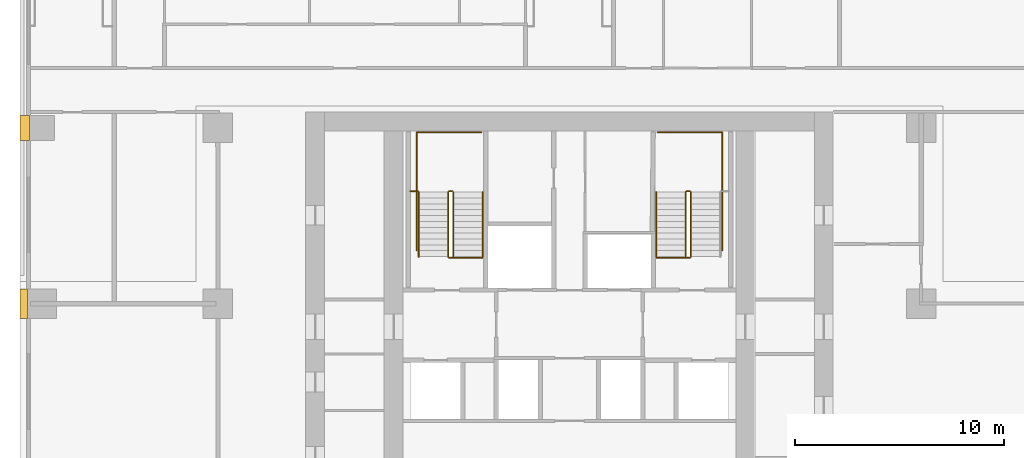
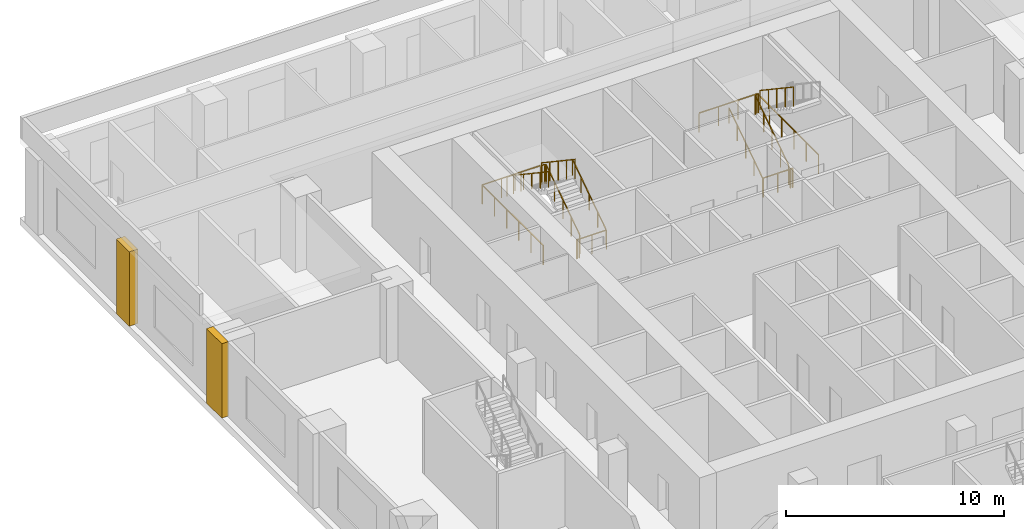
# One storey, part 14 of 16: 14 railings, 2 coverings.
"""IFC4 building model written with IfcOpenShell, lengths in metres."""

from ifc_helpers import new_model, si_unit, direction, frame, origin, origin_2d, place, context, subcontext, project, spatial, polyline, rectangle, outline, extrude, material, type_object, element, save


model = new_model("IFC4")

# Units and contexts
model_context = context("Model", 3, precision=1e-05, world=origin(), true_north=direction((0.0, 1.0)))
body_context = subcontext(model_context, "Body", "Model", "MODEL_VIEW")
ifc_project = project(units=[si_unit("LENGTHUNIT", "METRE"), si_unit("AREAUNIT", "SQUARE_METRE"), si_unit("VOLUMEUNIT", "CUBIC_METRE"), si_unit("PLANEANGLEUNIT", "RADIAN"), si_unit("MASSUNIT", "GRAM", prefix="KILO")], contexts=[model_context])

# Site, building, storey
site_placement = place(None, origin())
site = spatial("IfcSite", under=ifc_project, at=site_placement, CompositionType="ELEMENT")
building_placement = place(site_placement, origin())
building = spatial("IfcBuilding", under=site, at=building_placement, Name="Vermilion Ogive Tower", CompositionType="ELEMENT")
storey_placement = place(building_placement, frame((0.0, 0.0, 30.0)))
storey = spatial("IfcBuildingStorey", under=building, at=storey_placement, Name="L05", CompositionType="ELEMENT", Elevation=30.0)

# Railings
ifc_material_1 = material(Name="Steel S355 painted", Category="steel")
railing_type_1 = type_object("IfcRailingType", Name="Stair guard 1100", PredefinedType="GUARDRAIL", material=ifc_material_1)
railing_1_placement = place(storey_placement, frame((-5.550048828125, 14.85009765625, 0.1875)))
element("IfcRailing", 1, at=railing_1_placement, inside=storey, type_object=railing_type_1, Name="L05 ST1 stair guard 1", PredefinedType="GUARDRAIL", context=body_context, shape_type="SweptSolid", body=[
    extrude(rectangle(XDim=0.048095703125, YDim=0.048095703125, at=origin_2d()), frame((0.0, 0.0, 1.076171875), z_axis=(0.0, 0.830893310487, 0.556431762742), x_axis=(-1.0, 0.0, 0.0)), (0.0, 0.0, 1.0), 3.70654296875),
    extrude(rectangle(XDim=0.048095703125, YDim=0.048095703125, at=origin_2d()), frame((0.0, 3.079833984375, 3.138671875), z_axis=(-0.707106781187, 0.707106781187, 0.0), x_axis=(-0.707106781187, -0.707106781187, 0.0)), (0.0, 0.0, 1.0), 0.07080078125),
    extrude(rectangle(XDim=0.048095703125, YDim=0.048095703125, at=origin_2d()), frame((-0.050048828125, 3.1298828125, 3.138671875), z_axis=(-1.0, 0.0, 0.0), x_axis=(0.0, -1.0, 0.0)), (0.0, 0.0, 1.0), 0.14990234375),
    extrude(rectangle(XDim=0.0419921875, YDim=0.0419921875, at=origin_2d()), origin(), (0.0, 0.0, 1.0), 1.052001953125),
    extrude(rectangle(XDim=0.0419921875, YDim=0.0419921875, at=origin_2d()), frame((0.0, 0.77001953125, 0.515625)), (0.0, 0.0, 1.0), 1.052001953125),
    extrude(rectangle(XDim=0.0419921875, YDim=0.0419921875, at=origin_2d()), frame((0.0, 1.5400390625, 1.03125)), (0.0, 0.0, 1.0), 1.052001953125),
    extrude(rectangle(XDim=0.0419921875, YDim=0.0419921875, at=origin_2d()), frame((0.0, 2.309814453125, 1.546875)), (0.0, 0.0, 1.0), 1.052001953125),
    extrude(rectangle(XDim=0.0419921875, YDim=0.0419921875, at=origin_2d()), frame((0.0, 3.079833984375, 2.0625)), (0.0, 0.0, 1.0), 1.052001953125),
    extrude(rectangle(XDim=0.0419921875, YDim=0.0419921875, at=origin_2d()), frame((-0.050048828125, 3.1298828125, 2.0625)), (0.0, 0.0, 1.0), 1.052001953125),
    extrude(rectangle(XDim=0.0419921875, YDim=0.0419921875, at=origin_2d()), frame((-0.199951171875, 3.1298828125, 2.0625)), (0.0, 0.0, 1.0), 1.052001953125),
])
railing_2_placement = place(storey_placement, frame((-5.800048828125, 17.929931640625, 2.4375)))
element("IfcRailing", 2, at=railing_2_placement, inside=storey, type_object=railing_type_1, Name="L05 ST1 stair guard 3", PredefinedType="GUARDRAIL", context=body_context, shape_type="SweptSolid", body=[
    extrude(rectangle(XDim=0.048095703125, YDim=0.048095703125, at=origin_2d()), frame((0.0, 0.0, 1.076171875), z_axis=(0.0, -0.830893310487, 0.556431762742), x_axis=(1.0, 0.0, 0.0)), (0.0, 0.0, 1.0), 3.70654296875),
    extrude(rectangle(XDim=0.0419921875, YDim=0.0419921875, at=origin_2d()), origin(), (0.0, 0.0, 1.0), 1.052001953125),
    extrude(rectangle(XDim=0.0419921875, YDim=0.0419921875, at=origin_2d()), frame((0.0, -0.77001953125, 0.515625)), (0.0, 0.0, 1.0), 1.052001953125),
    extrude(rectangle(XDim=0.0419921875, YDim=0.0419921875, at=origin_2d()), frame((0.0, -1.5400390625, 1.03125)), (0.0, 0.0, 1.0), 1.052001953125),
    extrude(rectangle(XDim=0.0419921875, YDim=0.0419921875, at=origin_2d()), frame((0.0, -2.309814453125, 1.546875)), (0.0, 0.0, 1.0), 1.052001953125),
    extrude(rectangle(XDim=0.0419921875, YDim=0.0419921875, at=origin_2d()), frame((0.0, -3.079833984375, 2.0625)), (0.0, 0.0, 1.0), 1.052001953125),
])
railing_3_placement = place(storey_placement, frame((-5.60009765625, 14.800048828125, 0.0)))
element("IfcRailing", 3, at=railing_3_placement, inside=storey, type_object=railing_type_1, Name="L05 ST1 stair guard 4", PredefinedType="GUARDRAIL", context=body_context, shape_type="SweptSolid", body=[
    extrude(rectangle(XDim=0.048095703125, YDim=0.048095703125, at=origin_2d()), frame((0.0, 0.0, 1.076171875), z_axis=(-1.0, 0.0, 0.0), x_axis=(0.0, -1.0, 0.0)), (0.0, 0.0, 1.0), 0.14990234375),
    extrude(rectangle(XDim=0.0419921875, YDim=0.0419921875, at=origin_2d()), origin(), (0.0, 0.0, 1.0), 1.052001953125),
    extrude(rectangle(XDim=0.0419921875, YDim=0.0419921875, at=origin_2d()), frame((-0.14990234375, 0.0, 0.0)), (0.0, 0.0, 1.0), 1.052001953125),
])
railing_4_placement = place(storey_placement, frame((5.550048828125, 14.85009765625, 0.1875)))
element("IfcRailing", 4, at=railing_4_placement, inside=storey, type_object=railing_type_1, Name="L05 ST2 stair guard 1", PredefinedType="GUARDRAIL", context=body_context, shape_type="SweptSolid", body=[
    extrude(rectangle(XDim=0.048095703125, YDim=0.048095703125, at=origin_2d()), frame((0.0, 0.0, 1.076171875), z_axis=(0.0, 0.830893310487, 0.556431762742), x_axis=(-1.0, 0.0, 0.0)), (0.0, 0.0, 1.0), 3.70654296875),
    extrude(rectangle(XDim=0.048095703125, YDim=0.048095703125, at=origin_2d()), frame((0.0, 3.079833984375, 3.138671875), z_axis=(0.707106781187, 0.707106781187, 0.0), x_axis=(-0.707106781187, 0.707106781187, 0.0)), (0.0, 0.0, 1.0), 0.07080078125),
    extrude(rectangle(XDim=0.048095703125, YDim=0.048095703125, at=origin_2d()), frame((0.050048828125, 3.1298828125, 3.138671875), z_axis=(1.0, 0.0, 0.0), x_axis=(0.0, 1.0, 0.0)), (0.0, 0.0, 1.0), 0.14990234375),
    extrude(rectangle(XDim=0.0419921875, YDim=0.0419921875, at=origin_2d()), origin(), (0.0, 0.0, 1.0), 1.052001953125),
    extrude(rectangle(XDim=0.0419921875, YDim=0.0419921875, at=origin_2d()), frame((0.0, 0.77001953125, 0.515625)), (0.0, 0.0, 1.0), 1.052001953125),
    extrude(rectangle(XDim=0.0419921875, YDim=0.0419921875, at=origin_2d()), frame((0.0, 1.5400390625, 1.03125)), (0.0, 0.0, 1.0), 1.052001953125),
    extrude(rectangle(XDim=0.0419921875, YDim=0.0419921875, at=origin_2d()), frame((0.0, 2.309814453125, 1.546875)), (0.0, 0.0, 1.0), 1.052001953125),
    extrude(rectangle(XDim=0.0419921875, YDim=0.0419921875, at=origin_2d()), frame((0.0, 3.079833984375, 2.0625)), (0.0, 0.0, 1.0), 1.052001953125),
    extrude(rectangle(XDim=0.0419921875, YDim=0.0419921875, at=origin_2d()), frame((0.050048828125, 3.1298828125, 2.0625)), (0.0, 0.0, 1.0), 1.052001953125),
    extrude(rectangle(XDim=0.0419921875, YDim=0.0419921875, at=origin_2d()), frame((0.199951171875, 3.1298828125, 2.0625)), (0.0, 0.0, 1.0), 1.052001953125),
])
railing_5_placement = place(storey_placement, frame((5.800048828125, 17.929931640625, 2.4375)))
element("IfcRailing", 5, at=railing_5_placement, inside=storey, type_object=railing_type_1, Name="L05 ST2 stair guard 3", PredefinedType="GUARDRAIL", context=body_context, shape_type="SweptSolid", body=[
    extrude(rectangle(XDim=0.048095703125, YDim=0.048095703125, at=origin_2d()), frame((0.0, 0.0, 1.076171875), z_axis=(0.0, -0.830893310487, 0.556431762742), x_axis=(1.0, 0.0, 0.0)), (0.0, 0.0, 1.0), 3.70654296875),
    extrude(rectangle(XDim=0.0419921875, YDim=0.0419921875, at=origin_2d()), origin(), (0.0, 0.0, 1.0), 1.052001953125),
    extrude(rectangle(XDim=0.0419921875, YDim=0.0419921875, at=origin_2d()), frame((0.0, -0.77001953125, 0.515625)), (0.0, 0.0, 1.0), 1.052001953125),
    extrude(rectangle(XDim=0.0419921875, YDim=0.0419921875, at=origin_2d()), frame((0.0, -1.5400390625, 1.03125)), (0.0, 0.0, 1.0), 1.052001953125),
    extrude(rectangle(XDim=0.0419921875, YDim=0.0419921875, at=origin_2d()), frame((0.0, -2.309814453125, 1.546875)), (0.0, 0.0, 1.0), 1.052001953125),
    extrude(rectangle(XDim=0.0419921875, YDim=0.0419921875, at=origin_2d()), frame((0.0, -3.079833984375, 2.0625)), (0.0, 0.0, 1.0), 1.052001953125),
])
railing_6_placement = place(storey_placement, frame((5.60009765625, 14.800048828125, 0.0)))
element("IfcRailing", 6, at=railing_6_placement, inside=storey, type_object=railing_type_1, Name="L05 ST2 stair guard 4", PredefinedType="GUARDRAIL", context=body_context, shape_type="SweptSolid", body=[
    extrude(rectangle(XDim=0.048095703125, YDim=0.048095703125, at=origin_2d()), frame((0.0, 0.0, 1.076171875), z_axis=(1.0, 0.0, 0.0), x_axis=(0.0, 1.0, 0.0)), (0.0, 0.0, 1.0), 0.14990234375),
    extrude(rectangle(XDim=0.0419921875, YDim=0.0419921875, at=origin_2d()), origin(), (0.0, 0.0, 1.0), 1.052001953125),
    extrude(rectangle(XDim=0.0419921875, YDim=0.0419921875, at=origin_2d()), frame((0.14990234375, 0.0, 0.0)), (0.0, 0.0, 1.0), 1.052001953125),
])
railing_7_placement = place(storey_placement, frame((-7.60009765625, 17.97998046875, 2.25)))
element("IfcRailing", 7, at=railing_7_placement, inside=storey, type_object=railing_type_1, Name="L05 landing guard", PredefinedType="GUARDRAIL", context=body_context, shape_type="SweptSolid", body=[
    extrude(rectangle(XDim=0.048095703125, YDim=0.048095703125, at=origin_2d()), frame((0.0, 0.0, 1.076171875), z_axis=(1.0, 0.0, 0.0), x_axis=(0.0, 1.0, 0.0)), (0.0, 0.0, 1.0), 0.35009765625),
    extrude(rectangle(XDim=0.0419921875, YDim=0.0419921875, at=origin_2d()), origin(), (0.0, 0.0, 1.0), 1.052001953125),
    extrude(rectangle(XDim=0.0419921875, YDim=0.0419921875, at=origin_2d()), frame((0.35009765625, 0.0, 0.0)), (0.0, 0.0, 1.0), 1.052001953125),
])
railing_8_placement = place(storey_placement, frame((-5.699951171875, 14.7900390625, 0.0)))
element("IfcRailing", 8, at=railing_8_placement, inside=storey, type_object=railing_type_1, Name="L05 stair opening guard", PredefinedType="GUARDRAIL", context=body_context, shape_type="SweptSolid", body=[
    extrude(rectangle(XDim=0.048095703125, YDim=0.048095703125, at=origin_2d()), frame((0.0, 0.0, 1.076171875), z_axis=(1.0, 0.0, 0.0), x_axis=(0.0, 1.0, 0.0)), (0.0, 0.0, 1.0), 1.5400390625),
    extrude(rectangle(XDim=0.0419921875, YDim=0.0419921875, at=origin_2d()), origin(), (0.0, 0.0, 1.0), 1.052001953125),
    extrude(rectangle(XDim=0.0419921875, YDim=0.0419921875, at=origin_2d()), frame((0.77001953125, 0.0, 0.0)), (0.0, 0.0, 1.0), 1.052001953125),
    extrude(rectangle(XDim=0.0419921875, YDim=0.0419921875, at=origin_2d()), frame((1.5400390625, 0.0, 0.0)), (0.0, 0.0, 1.0), 1.052001953125),
])
railing_9_placement = place(storey_placement, frame((-4.212646484375, 20.77880859375, 0.0)))
element("IfcRailing", 9, at=railing_9_placement, inside=storey, type_object=railing_type_1, Name="L05 stair opening guard", PredefinedType="GUARDRAIL", context=body_context, shape_type="SweptSolid", body=[
    extrude(rectangle(XDim=0.048095703125, YDim=0.048095703125, at=origin_2d()), frame((0.0, 0.0, 1.076171875), z_axis=(-1.0, 0.0, 0.0), x_axis=(0.0, -1.0, 0.0)), (0.0, 0.0, 1.0), 3.08984375),
    extrude(rectangle(XDim=0.048095703125, YDim=0.048095703125, at=origin_2d()), frame((-3.08984375, 0.0, 1.076171875), z_axis=(0.0, -1.0, 0.0), x_axis=(1.0, 0.0, 0.0)), (0.0, 0.0, 1.0), 5.624267578125),
    extrude(rectangle(XDim=0.0419921875, YDim=0.0419921875, at=origin_2d()), origin(), (0.0, 0.0, 1.0), 1.052001953125),
    extrude(rectangle(XDim=0.0419921875, YDim=0.0419921875, at=origin_2d()), frame((-1.030029296875, 0.0, 0.0)), (0.0, 0.0, 1.0), 1.052001953125),
    extrude(rectangle(XDim=0.0419921875, YDim=0.0419921875, at=origin_2d()), frame((-2.059814453125, 0.0, 0.0)), (0.0, 0.0, 1.0), 1.052001953125),
    extrude(rectangle(XDim=0.0419921875, YDim=0.0419921875, at=origin_2d()), frame((-3.08984375, 0.0, 0.0)), (0.0, 0.0, 1.0), 1.052001953125),
    extrude(rectangle(XDim=0.0419921875, YDim=0.0419921875, at=origin_2d()), frame((-3.08984375, -1.124755859375, 0.0)), (0.0, 0.0, 1.0), 1.052001953125),
    extrude(rectangle(XDim=0.0419921875, YDim=0.0419921875, at=origin_2d()), frame((-3.08984375, -2.249755859375, 0.0)), (0.0, 0.0, 1.0), 1.052001953125),
    extrude(rectangle(XDim=0.0419921875, YDim=0.0419921875, at=origin_2d()), frame((-3.08984375, -3.37451171875, 0.0)), (0.0, 0.0, 1.0), 1.052001953125),
    extrude(rectangle(XDim=0.0419921875, YDim=0.0419921875, at=origin_2d()), frame((-3.08984375, -4.49951171875, 0.0)), (0.0, 0.0, 1.0), 1.052001953125),
    extrude(rectangle(XDim=0.0419921875, YDim=0.0419921875, at=origin_2d()), frame((-3.08984375, -5.624267578125, 0.0)), (0.0, 0.0, 1.0), 1.052001953125),
])
railing_10_placement = place(storey_placement, frame((4.159912109375, 14.7900390625, 0.0)))
element("IfcRailing", 10, at=railing_10_placement, inside=storey, type_object=railing_type_1, Name="L05 stair opening guard", PredefinedType="GUARDRAIL", context=body_context, shape_type="SweptSolid", body=[
    extrude(rectangle(XDim=0.048095703125, YDim=0.048095703125, at=origin_2d()), frame((0.0, 0.0, 1.076171875), z_axis=(1.0, 0.0, 0.0), x_axis=(0.0, 1.0, 0.0)), (0.0, 0.0, 1.0), 1.5400390625),
    extrude(rectangle(XDim=0.0419921875, YDim=0.0419921875, at=origin_2d()), origin(), (0.0, 0.0, 1.0), 1.052001953125),
    extrude(rectangle(XDim=0.0419921875, YDim=0.0419921875, at=origin_2d()), frame((0.77001953125, 0.0, 0.0)), (0.0, 0.0, 1.0), 1.052001953125),
    extrude(rectangle(XDim=0.0419921875, YDim=0.0419921875, at=origin_2d()), frame((1.5400390625, 0.0, 0.0)), (0.0, 0.0, 1.0), 1.052001953125),
])
railing_11_placement = place(storey_placement, frame((7.302490234375, 15.154541015625, 0.0)))
element("IfcRailing", 11, at=railing_11_placement, inside=storey, type_object=railing_type_1, Name="L05 stair opening guard", PredefinedType="GUARDRAIL", context=body_context, shape_type="SweptSolid", body=[
    extrude(rectangle(XDim=0.048095703125, YDim=0.048095703125, at=origin_2d()), frame((0.0, 0.0, 1.076171875), z_axis=(0.0, 1.0, 0.0), x_axis=(-1.0, 0.0, 0.0)), (0.0, 0.0, 1.0), 5.624267578125),
    extrude(rectangle(XDim=0.048095703125, YDim=0.048095703125, at=origin_2d()), frame((0.0, 5.624267578125, 1.076171875), z_axis=(-1.0, 0.0, 0.0), x_axis=(0.0, -1.0, 0.0)), (0.0, 0.0, 1.0), 3.09033203125),
    extrude(rectangle(XDim=0.0419921875, YDim=0.0419921875, at=origin_2d()), origin(), (0.0, 0.0, 1.0), 1.052001953125),
    extrude(rectangle(XDim=0.0419921875, YDim=0.0419921875, at=origin_2d()), frame((0.0, 1.124755859375, 0.0)), (0.0, 0.0, 1.0), 1.052001953125),
    extrude(rectangle(XDim=0.0419921875, YDim=0.0419921875, at=origin_2d()), frame((0.0, 2.249755859375, 0.0)), (0.0, 0.0, 1.0), 1.052001953125),
    extrude(rectangle(XDim=0.0419921875, YDim=0.0419921875, at=origin_2d()), frame((0.0, 3.37451171875, 0.0)), (0.0, 0.0, 1.0), 1.052001953125),
    extrude(rectangle(XDim=0.0419921875, YDim=0.0419921875, at=origin_2d()), frame((0.0, 4.49951171875, 0.0)), (0.0, 0.0, 1.0), 1.052001953125),
    extrude(rectangle(XDim=0.0419921875, YDim=0.0419921875, at=origin_2d()), frame((0.0, 5.624267578125, 0.0)), (0.0, 0.0, 1.0), 1.052001953125),
    extrude(rectangle(XDim=0.0419921875, YDim=0.0419921875, at=origin_2d()), frame((-1.030029296875, 5.624267578125, 0.0)), (0.0, 0.0, 1.0), 1.052001953125),
    extrude(rectangle(XDim=0.0419921875, YDim=0.0419921875, at=origin_2d()), frame((-2.060302734375, 5.624267578125, 0.0)), (0.0, 0.0, 1.0), 1.052001953125),
    extrude(rectangle(XDim=0.0419921875, YDim=0.0419921875, at=origin_2d()), frame((-3.09033203125, 5.624267578125, 0.0)), (0.0, 0.0, 1.0), 1.052001953125),
])
ifc_material_2 = material(Name="Stainless steel", Category="steel")
railing_type_2 = type_object("IfcRailingType", Name="Stair handrail 900", PredefinedType="HANDRAIL", material=ifc_material_2)
railing_12_placement = place(storey_placement, frame((-4.14990234375, 14.85009765625, 0.1875)))
element("IfcRailing", 12, at=railing_12_placement, inside=storey, type_object=railing_type_2, Name="L05 ST1 stair handrail 1", PredefinedType="HANDRAIL", context=body_context, shape_type="SweptSolid", body=[
    extrude(rectangle(XDim=0.048095703125, YDim=0.048095703125, at=origin_2d()), frame((0.0, 0.0, 0.8759765625), z_axis=(0.0, 0.830893310487, 0.556431762742), x_axis=(-1.0, 0.0, 0.0)), (0.0, 0.0, 1.0), 3.70654296875),
    extrude(rectangle(XDim=0.0419921875, YDim=0.0419921875, at=origin_2d()), origin(), (0.0, 0.0, 1.0), 0.851806640625),
    extrude(rectangle(XDim=0.0419921875, YDim=0.0419921875, at=origin_2d()), frame((0.0, 0.77001953125, 0.515625)), (0.0, 0.0, 1.0), 0.851806640625),
    extrude(rectangle(XDim=0.0419921875, YDim=0.0419921875, at=origin_2d()), frame((0.0, 1.5400390625, 1.03125)), (0.0, 0.0, 1.0), 0.851806640625),
    extrude(rectangle(XDim=0.0419921875, YDim=0.0419921875, at=origin_2d()), frame((0.0, 2.309814453125, 1.546875)), (0.0, 0.0, 1.0), 0.851806640625),
    extrude(rectangle(XDim=0.0419921875, YDim=0.0419921875, at=origin_2d()), frame((0.0, 3.079833984375, 2.0625)), (0.0, 0.0, 1.0), 0.851806640625),
])
railing_13_placement = place(storey_placement, frame((-7.199951171875, 17.929931640625, 2.4375)))
element("IfcRailing", 13, at=railing_13_placement, inside=storey, type_object=railing_type_2, Name="L05 ST1 stair handrail 2", PredefinedType="HANDRAIL", context=body_context, shape_type="SweptSolid", body=[
    extrude(rectangle(XDim=0.048095703125, YDim=0.048095703125, at=origin_2d()), frame((0.0, 0.0, 0.8759765625), z_axis=(0.0, -0.830893310487, 0.556431762742), x_axis=(1.0, 0.0, 0.0)), (0.0, 0.0, 1.0), 3.70654296875),
    extrude(rectangle(XDim=0.0419921875, YDim=0.0419921875, at=origin_2d()), origin(), (0.0, 0.0, 1.0), 0.851806640625),
    extrude(rectangle(XDim=0.0419921875, YDim=0.0419921875, at=origin_2d()), frame((0.0, -0.77001953125, 0.515625)), (0.0, 0.0, 1.0), 0.851806640625),
    extrude(rectangle(XDim=0.0419921875, YDim=0.0419921875, at=origin_2d()), frame((0.0, -1.5400390625, 1.03125)), (0.0, 0.0, 1.0), 0.851806640625),
    extrude(rectangle(XDim=0.0419921875, YDim=0.0419921875, at=origin_2d()), frame((0.0, -2.309814453125, 1.546875)), (0.0, 0.0, 1.0), 0.851806640625),
    extrude(rectangle(XDim=0.0419921875, YDim=0.0419921875, at=origin_2d()), frame((0.0, -3.079833984375, 2.0625)), (0.0, 0.0, 1.0), 0.851806640625),
])
railing_14_placement = place(storey_placement, frame((4.14990234375, 14.85009765625, 0.1875)))
element("IfcRailing", 14, at=railing_14_placement, inside=storey, type_object=railing_type_2, Name="L05 ST2 stair handrail 1", PredefinedType="HANDRAIL", context=body_context, shape_type="SweptSolid", body=[
    extrude(rectangle(XDim=0.048095703125, YDim=0.048095703125, at=origin_2d()), frame((0.0, 0.0, 0.8759765625), z_axis=(0.0, 0.830893310487, 0.556431762742), x_axis=(-1.0, 0.0, 0.0)), (0.0, 0.0, 1.0), 3.70654296875),
    extrude(rectangle(XDim=0.0419921875, YDim=0.0419921875, at=origin_2d()), origin(), (0.0, 0.0, 1.0), 0.851806640625),
    extrude(rectangle(XDim=0.0419921875, YDim=0.0419921875, at=origin_2d()), frame((0.0, 0.77001953125, 0.515625)), (0.0, 0.0, 1.0), 0.851806640625),
    extrude(rectangle(XDim=0.0419921875, YDim=0.0419921875, at=origin_2d()), frame((0.0, 1.5400390625, 1.03125)), (0.0, 0.0, 1.0), 0.851806640625),
    extrude(rectangle(XDim=0.0419921875, YDim=0.0419921875, at=origin_2d()), frame((0.0, 2.309814453125, 1.546875)), (0.0, 0.0, 1.0), 0.851806640625),
    extrude(rectangle(XDim=0.0419921875, YDim=0.0419921875, at=origin_2d()), frame((0.0, 3.079833984375, 2.0625)), (0.0, 0.0, 1.0), 0.851806640625),
])

# Coverings
ifc_material_3 = material(Name="Stone cladding", Category="masonry")
covering_type = type_object("IfcCoveringType", Name="Stone pier", PredefinedType="CLADDING", material=ifc_material_3)
covering_1_placement = place(storey_placement, origin())
element("IfcCovering", 15, at=covering_1_placement, inside=storey, type_object=covering_type, Name="Stone pier P-252+126", PredefinedType="CLADDING", context=body_context, shape_type="SweptSolid", body=[
    extrude(outline(polyline([(-25.89990234375, 11.89990234375), (-26.25, 11.89990234375), (-26.25, 13.300048828125), (-25.89990234375, 13.300048828125), (-25.89990234375, 13.300048828125), (-25.89990234375, 11.89990234375)])), origin(), (0.0, 0.0, 1.0), 4.179931640625),
])
covering_2_placement = place(storey_placement, origin())
element("IfcCovering", 16, at=covering_2_placement, inside=storey, type_object=covering_type, Name="Stone pier P-252+210", PredefinedType="CLADDING", context=body_context, shape_type="SweptSolid", body=[
    extrude(outline(polyline([(-26.25, 20.39990234375), (-26.25, 21.60009765625), (-25.800048828125, 21.60009765625), (-25.800048828125, 20.39990234375), (-26.25, 20.39990234375)])), origin(), (0.0, 0.0, 1.0), 4.179931640625),
])

save(model, "model.ifc")
